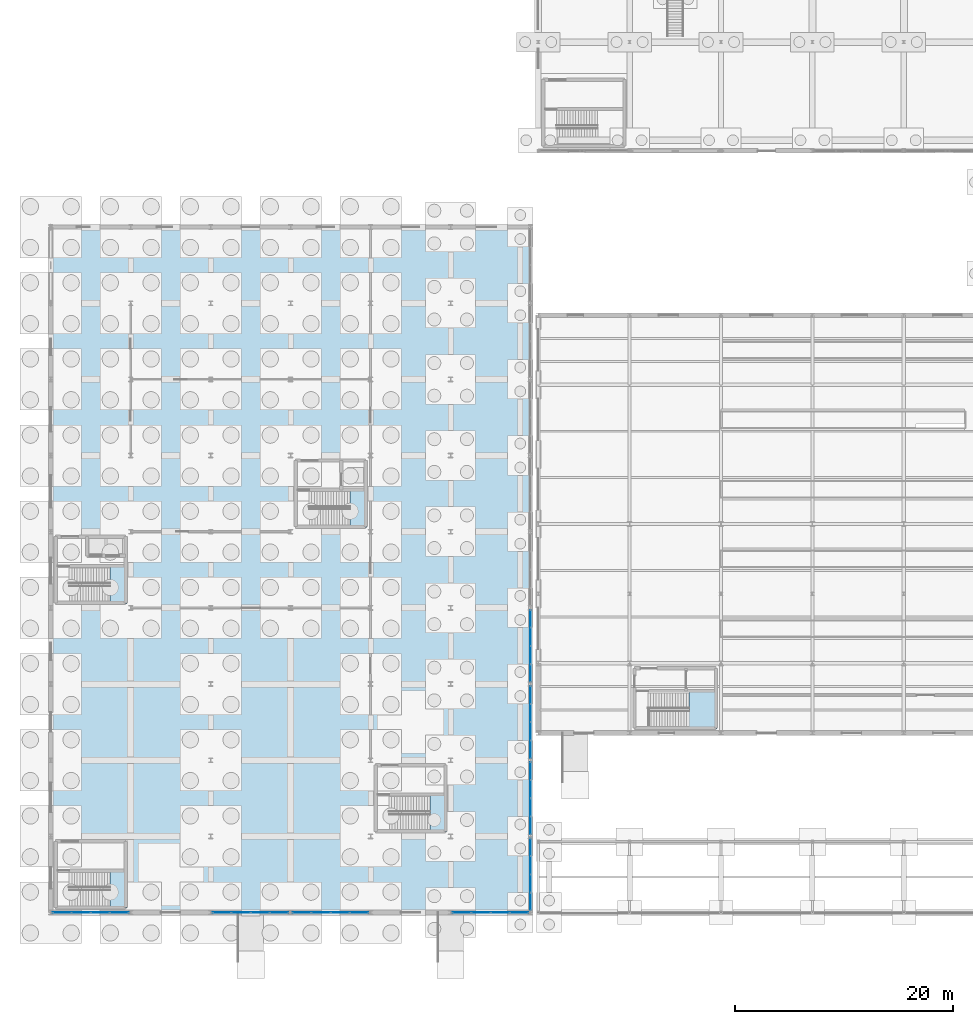
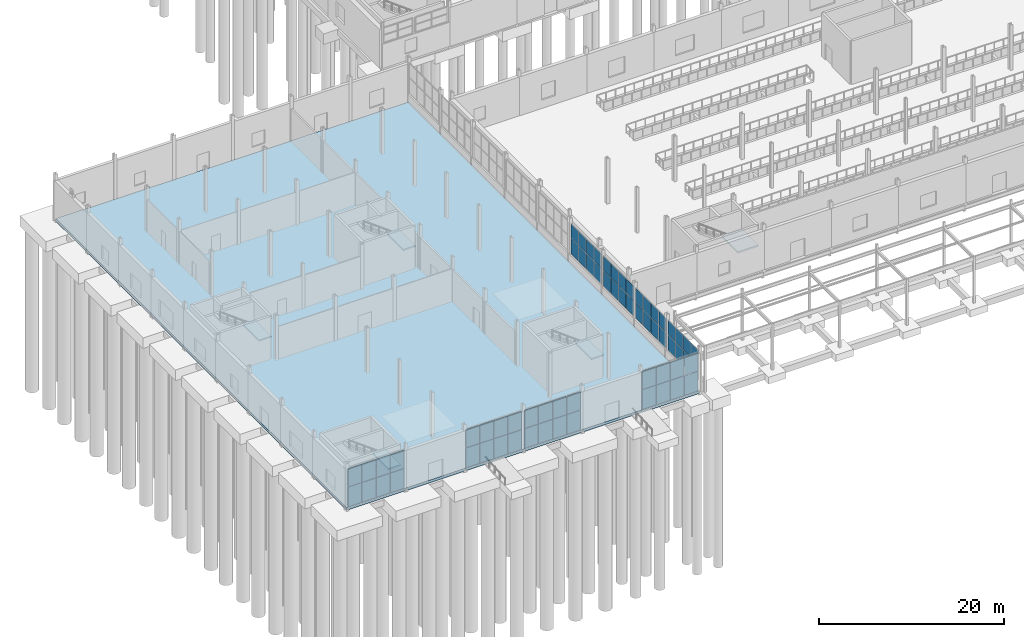
# One storey, part 104 of 139: 64 plates, 6 slabs, 13 elements without a shape of their own.
"""IFC4 building model written with IfcOpenShell, lengths in metres."""

from ifc_helpers import new_model, si_unit, direction, frame, origin, origin_2d, place, context, subcontext, project, spatial, polyline, rectangle, outline, extrude, material, layer, layer_set, type_object, element, aggregate, save


model = new_model("IFC4")

# Units and contexts
model_context = context("Model", 3, precision=1e-05, world=origin(), true_north=direction((0.0, 1.0)))
body_context = subcontext(model_context, "Body", "Model", "MODEL_VIEW")
ifc_project = project(units=[si_unit("LENGTHUNIT", "METRE"), si_unit("AREAUNIT", "SQUARE_METRE"), si_unit("VOLUMEUNIT", "CUBIC_METRE"), si_unit("PLANEANGLEUNIT", "RADIAN"), si_unit("MASSUNIT", "GRAM", prefix="KILO")], contexts=[model_context])

# Site, building, storey
site_placement = place(None, origin())
site = spatial("IfcSite", under=ifc_project, at=site_placement, CompositionType="ELEMENT")
building_placement = place(site_placement, origin())
building = spatial("IfcBuilding", under=site, at=building_placement, Name="Kazenagashi Tramway Depot", CompositionType="ELEMENT")
storey_placement = place(building_placement, origin())
storey = spatial("IfcBuildingStorey", under=building, at=storey_placement, Name="L01", CompositionType="ELEMENT", Elevation=0.0)

# Curtain wall, plates
ifc_material_1 = material(Name="Anodised Aluminium and Low-E Glazing", Category="aluminium")
curtain_wall_type_1 = type_object("IfcCurtainWallType", Name="CW-33", PredefinedType="USERDEFINED", material=ifc_material_1)
curtain_wall_1_placement = place(storey_placement, origin())
curtain_wall_1 = element("IfcCurtainWall", 1, at=curtain_wall_1_placement, inside=storey, type_object=curtain_wall_type_1, Name="Industrial Glazed Screen CW-33 CW-0180", ObjectType="GLAZED SCREEN", PredefinedType="USERDEFINED")
ifc_material_2 = material(Name="Tempered Laminated Low-E Glass", Category="glass")
ifc_layer_1 = layer(ifc_material_2, 0.022)
ifc_layer_set_1 = layer_set([ifc_layer_1], Name="Tempered Laminated Low-E Glass")
plate_type_1 = type_object("IfcPlateType", Name="GL-04", PredefinedType="CURTAIN_PANEL", material=ifc_layer_set_1)
plate_1_placement = place(storey_placement, frame((44.1, 0.995, 1.26), z_axis=(0.0, 0.0, 1.0), x_axis=(0.0, 1.0, 0.0)))
plate_1 = element("IfcPlate", 2, at=plate_1_placement, type_object=plate_type_1, Name="CW-33 panel 1.1", PredefinedType="CURTAIN_PANEL", context=body_context, shape_type="SweptSolid", body=[
    extrude(rectangle(XDim=1.59, YDim=0.022, at=origin_2d()), origin(), (0.0, 0.0, 1.0), 2.022),
])
plate_2_placement = place(storey_placement, frame((44.1, 0.995, 3.342), z_axis=(0.0, 0.0, 1.0), x_axis=(0.0, 1.0, 0.0)))
plate_2 = element("IfcPlate", 3, at=plate_2_placement, type_object=plate_type_1, Name="CW-33 panel 1.2", PredefinedType="CURTAIN_PANEL", context=body_context, shape_type="SweptSolid", body=[
    extrude(rectangle(XDim=1.59, YDim=0.022, at=origin_2d()), origin(), (0.0, 0.0, 1.0), 1.86),
])
plate_3_placement = place(storey_placement, frame((44.1, 2.66, 1.26), z_axis=(0.0, 0.0, 1.0), x_axis=(0.0, 1.0, 0.0)))
plate_3 = element("IfcPlate", 4, at=plate_3_placement, type_object=plate_type_1, Name="CW-33 panel 2.1", PredefinedType="CURTAIN_PANEL", context=body_context, shape_type="SweptSolid", body=[
    extrude(rectangle(XDim=1.62, YDim=0.022, at=origin_2d()), origin(), (0.0, 0.0, 1.0), 2.022),
])
plate_4_placement = place(storey_placement, frame((44.1, 2.66, 3.342), z_axis=(0.0, 0.0, 1.0), x_axis=(0.0, 1.0, 0.0)))
plate_4 = element("IfcPlate", 5, at=plate_4_placement, type_object=plate_type_1, Name="CW-33 panel 2.2", PredefinedType="CURTAIN_PANEL", context=body_context, shape_type="SweptSolid", body=[
    extrude(rectangle(XDim=1.62, YDim=0.022, at=origin_2d()), origin(), (0.0, 0.0, 1.0), 1.86),
])
plate_5_placement = place(storey_placement, frame((44.1, 4.34, 1.26), z_axis=(0.0, 0.0, 1.0), x_axis=(0.0, 1.0, 0.0)))
plate_5 = element("IfcPlate", 6, at=plate_5_placement, type_object=plate_type_1, Name="CW-33 panel 3.1", PredefinedType="CURTAIN_PANEL", context=body_context, shape_type="SweptSolid", body=[
    extrude(rectangle(XDim=1.62, YDim=0.022, at=origin_2d()), origin(), (0.0, 0.0, 1.0), 2.022),
])
plate_6_placement = place(storey_placement, frame((44.1, 4.34, 3.342), z_axis=(0.0, 0.0, 1.0), x_axis=(0.0, 1.0, 0.0)))
plate_6 = element("IfcPlate", 7, at=plate_6_placement, type_object=plate_type_1, Name="CW-33 panel 3.2", PredefinedType="CURTAIN_PANEL", context=body_context, shape_type="SweptSolid", body=[
    extrude(rectangle(XDim=1.62, YDim=0.022, at=origin_2d()), origin(), (0.0, 0.0, 1.0), 1.86),
])
plate_7_placement = place(storey_placement, frame((44.1, 6.005, 1.26), z_axis=(0.0, 0.0, 1.0), x_axis=(0.0, 1.0, 0.0)))
plate_7 = element("IfcPlate", 8, at=plate_7_placement, type_object=plate_type_1, Name="CW-33 panel 4.1", PredefinedType="CURTAIN_PANEL", context=body_context, shape_type="SweptSolid", body=[
    extrude(rectangle(XDim=1.59, YDim=0.022, at=origin_2d()), origin(), (0.0, 0.0, 1.0), 2.022),
])
plate_8_placement = place(storey_placement, frame((44.1, 6.005, 3.342), z_axis=(0.0, 0.0, 1.0), x_axis=(0.0, 1.0, 0.0)))
plate_8 = element("IfcPlate", 9, at=plate_8_placement, type_object=plate_type_1, Name="CW-33 panel 4.2", PredefinedType="CURTAIN_PANEL", context=body_context, shape_type="SweptSolid", body=[
    extrude(rectangle(XDim=1.59, YDim=0.022, at=origin_2d()), origin(), (0.0, 0.0, 1.0), 1.86),
])
aggregate(curtain_wall_1, [plate_1, plate_2, plate_3, plate_4, plate_5, plate_6, plate_7, plate_8])

curtain_wall_type_2 = type_object("IfcCurtainWallType", Name="CW-24", PredefinedType="USERDEFINED", material=ifc_material_1)
curtain_wall_2_placement = place(storey_placement, origin())
curtain_wall_2 = element("IfcCurtainWall", 10, at=curtain_wall_2_placement, inside=storey, type_object=curtain_wall_type_2, Name="Industrial Glazed Screen CW-24 CW-0134", ObjectType="GLAZED SCREEN", PredefinedType="USERDEFINED")
ifc_layer_2 = layer(ifc_material_2, 0.026)
ifc_layer_set_2 = layer_set([ifc_layer_2], Name="Tempered Laminated Low-E Glass")
plate_type_2 = type_object("IfcPlateType", Name="GL-06", PredefinedType="CURTAIN_PANEL", material=ifc_layer_set_2)
plate_9_placement = place(storey_placement, frame((1.03875, 0.0, 0.06), z_axis=(0.0, 0.0, 1.0), x_axis=(1.0, 0.0, 0.0)))
plate_9 = element("IfcPlate", 11, at=plate_9_placement, type_object=plate_type_2, Name="CW-24 panel 1.1", PredefinedType="CURTAIN_PANEL", context=body_context, shape_type="SweptSolid", body=[
    extrude(rectangle(XDim=1.6775, YDim=0.026, at=origin_2d()), origin(), (0.0, 0.0, 1.0), 2.583),
])
plate_10_placement = place(storey_placement, frame((1.03875, 0.0, 2.703), z_axis=(0.0, 0.0, 1.0), x_axis=(1.0, 0.0, 0.0)))
plate_10 = element("IfcPlate", 12, at=plate_10_placement, type_object=plate_type_2, Name="CW-24 panel 1.2", PredefinedType="CURTAIN_PANEL", context=body_context, shape_type="SweptSolid", body=[
    extrude(rectangle(XDim=1.6775, YDim=0.026, at=origin_2d()), origin(), (0.0, 0.0, 1.0), 2.377),
])
plate_11_placement = place(storey_placement, frame((2.79125, 0.0, 0.06), z_axis=(0.0, 0.0, 1.0), x_axis=(1.0, 0.0, 0.0)))
plate_11 = element("IfcPlate", 13, at=plate_11_placement, type_object=plate_type_2, Name="CW-24 panel 2.1", PredefinedType="CURTAIN_PANEL", context=body_context, shape_type="SweptSolid", body=[
    extrude(rectangle(XDim=1.7075, YDim=0.026, at=origin_2d()), origin(), (0.0, 0.0, 1.0), 2.583),
])
plate_12_placement = place(storey_placement, frame((2.79125, 0.0, 2.703), z_axis=(0.0, 0.0, 1.0), x_axis=(1.0, 0.0, 0.0)))
plate_12 = element("IfcPlate", 14, at=plate_12_placement, type_object=plate_type_2, Name="CW-24 panel 2.2", PredefinedType="CURTAIN_PANEL", context=body_context, shape_type="SweptSolid", body=[
    extrude(rectangle(XDim=1.7075, YDim=0.026, at=origin_2d()), origin(), (0.0, 0.0, 1.0), 2.377),
])
plate_13_placement = place(storey_placement, frame((4.55875, 0.0, 0.06), z_axis=(0.0, 0.0, 1.0), x_axis=(1.0, 0.0, 0.0)))
plate_13 = element("IfcPlate", 15, at=plate_13_placement, type_object=plate_type_2, Name="CW-24 panel 3.1", PredefinedType="CURTAIN_PANEL", context=body_context, shape_type="SweptSolid", body=[
    extrude(rectangle(XDim=1.7075, YDim=0.026, at=origin_2d()), origin(), (0.0, 0.0, 1.0), 2.583),
])
plate_14_placement = place(storey_placement, frame((4.55875, 0.0, 2.703), z_axis=(0.0, 0.0, 1.0), x_axis=(1.0, 0.0, 0.0)))
plate_14 = element("IfcPlate", 16, at=plate_14_placement, type_object=plate_type_2, Name="CW-24 panel 3.2", PredefinedType="CURTAIN_PANEL", context=body_context, shape_type="SweptSolid", body=[
    extrude(rectangle(XDim=1.7075, YDim=0.026, at=origin_2d()), origin(), (0.0, 0.0, 1.0), 2.377),
])
plate_15_placement = place(storey_placement, frame((6.31125, 0.0, 0.06), z_axis=(0.0, 0.0, 1.0), x_axis=(1.0, 0.0, 0.0)))
plate_15 = element("IfcPlate", 17, at=plate_15_placement, type_object=plate_type_2, Name="CW-24 panel 4.1", PredefinedType="CURTAIN_PANEL", context=body_context, shape_type="SweptSolid", body=[
    extrude(rectangle(XDim=1.6775, YDim=0.026, at=origin_2d()), origin(), (0.0, 0.0, 1.0), 2.583),
])
plate_16_placement = place(storey_placement, frame((6.31125, 0.0, 2.703), z_axis=(0.0, 0.0, 1.0), x_axis=(1.0, 0.0, 0.0)))
plate_16 = element("IfcPlate", 18, at=plate_16_placement, type_object=plate_type_2, Name="CW-24 panel 4.2", PredefinedType="CURTAIN_PANEL", context=body_context, shape_type="SweptSolid", body=[
    extrude(rectangle(XDim=1.6775, YDim=0.026, at=origin_2d()), origin(), (0.0, 0.0, 1.0), 2.377),
])
aggregate(curtain_wall_2, [plate_9, plate_10, plate_11, plate_12, plate_13, plate_14, plate_15, plate_16])

curtain_wall_3_placement = place(storey_placement, origin())
curtain_wall_3 = element("IfcCurtainWall", 19, at=curtain_wall_3_placement, inside=storey, type_object=curtain_wall_type_1, Name="Industrial Glazed Screen CW-33 CW-0182", ObjectType="GLAZED SCREEN", PredefinedType="USERDEFINED")
plate_17_placement = place(storey_placement, frame((44.1, 7.995, 1.26), z_axis=(0.0, 0.0, 1.0), x_axis=(0.0, 1.0, 0.0)))
plate_17 = element("IfcPlate", 20, at=plate_17_placement, type_object=plate_type_2, Name="CW-33 panel 1.1", PredefinedType="CURTAIN_PANEL", context=body_context, shape_type="SweptSolid", body=[
    extrude(rectangle(XDim=1.59, YDim=0.026, at=origin_2d()), origin(), (0.0, 0.0, 1.0), 2.022),
])
plate_18_placement = place(storey_placement, frame((44.1, 7.995, 3.342), z_axis=(0.0, 0.0, 1.0), x_axis=(0.0, 1.0, 0.0)))
plate_18 = element("IfcPlate", 21, at=plate_18_placement, type_object=plate_type_2, Name="CW-33 panel 1.2", PredefinedType="CURTAIN_PANEL", context=body_context, shape_type="SweptSolid", body=[
    extrude(rectangle(XDim=1.59, YDim=0.026, at=origin_2d()), origin(), (0.0, 0.0, 1.0), 1.86),
])
plate_19_placement = place(storey_placement, frame((44.1, 9.66, 1.26), z_axis=(0.0, 0.0, 1.0), x_axis=(0.0, 1.0, 0.0)))
plate_19 = element("IfcPlate", 22, at=plate_19_placement, type_object=plate_type_2, Name="CW-33 panel 2.1", PredefinedType="CURTAIN_PANEL", context=body_context, shape_type="SweptSolid", body=[
    extrude(rectangle(XDim=1.62, YDim=0.026, at=origin_2d()), origin(), (0.0, 0.0, 1.0), 2.022),
])
plate_20_placement = place(storey_placement, frame((44.1, 9.66, 3.342), z_axis=(0.0, 0.0, 1.0), x_axis=(0.0, 1.0, 0.0)))
plate_20 = element("IfcPlate", 23, at=plate_20_placement, type_object=plate_type_2, Name="CW-33 panel 2.2", PredefinedType="CURTAIN_PANEL", context=body_context, shape_type="SweptSolid", body=[
    extrude(rectangle(XDim=1.62, YDim=0.026, at=origin_2d()), origin(), (0.0, 0.0, 1.0), 1.86),
])
plate_21_placement = place(storey_placement, frame((44.1, 11.34, 1.26), z_axis=(0.0, 0.0, 1.0), x_axis=(0.0, 1.0, 0.0)))
plate_21 = element("IfcPlate", 24, at=plate_21_placement, type_object=plate_type_2, Name="CW-33 panel 3.1", PredefinedType="CURTAIN_PANEL", context=body_context, shape_type="SweptSolid", body=[
    extrude(rectangle(XDim=1.62, YDim=0.026, at=origin_2d()), origin(), (0.0, 0.0, 1.0), 2.022),
])
plate_22_placement = place(storey_placement, frame((44.1, 11.34, 3.342), z_axis=(0.0, 0.0, 1.0), x_axis=(0.0, 1.0, 0.0)))
plate_22 = element("IfcPlate", 25, at=plate_22_placement, type_object=plate_type_2, Name="CW-33 panel 3.2", PredefinedType="CURTAIN_PANEL", context=body_context, shape_type="SweptSolid", body=[
    extrude(rectangle(XDim=1.62, YDim=0.026, at=origin_2d()), origin(), (0.0, 0.0, 1.0), 1.86),
])
plate_23_placement = place(storey_placement, frame((44.1, 13.005, 1.26), z_axis=(0.0, 0.0, 1.0), x_axis=(0.0, 1.0, 0.0)))
plate_23 = element("IfcPlate", 26, at=plate_23_placement, type_object=plate_type_2, Name="CW-33 panel 4.1", PredefinedType="CURTAIN_PANEL", context=body_context, shape_type="SweptSolid", body=[
    extrude(rectangle(XDim=1.59, YDim=0.026, at=origin_2d()), origin(), (0.0, 0.0, 1.0), 2.022),
])
plate_24_placement = place(storey_placement, frame((44.1, 13.005, 3.342), z_axis=(0.0, 0.0, 1.0), x_axis=(0.0, 1.0, 0.0)))
plate_24 = element("IfcPlate", 27, at=plate_24_placement, type_object=plate_type_2, Name="CW-33 panel 4.2", PredefinedType="CURTAIN_PANEL", context=body_context, shape_type="SweptSolid", body=[
    extrude(rectangle(XDim=1.59, YDim=0.026, at=origin_2d()), origin(), (0.0, 0.0, 1.0), 1.86),
])
aggregate(curtain_wall_3, [plate_17, plate_18, plate_19, plate_20, plate_21, plate_22, plate_23, plate_24])

curtain_wall_4_placement = place(storey_placement, origin())
curtain_wall_4 = element("IfcCurtainWall", 28, at=curtain_wall_4_placement, inside=storey, type_object=curtain_wall_type_1, Name="Industrial Glazed Screen CW-33 CW-0184", ObjectType="GLAZED SCREEN", PredefinedType="USERDEFINED")
ifc_layer_3 = layer(ifc_material_2, 0.03)
ifc_layer_set_3 = layer_set([ifc_layer_3], Name="Tempered Laminated Low-E Glass")
plate_type_3 = type_object("IfcPlateType", Name="GL-08", PredefinedType="CURTAIN_PANEL", material=ifc_layer_set_3)
plate_25_placement = place(storey_placement, frame((44.1, 14.995, 1.26), z_axis=(0.0, 0.0, 1.0), x_axis=(0.0, 1.0, 0.0)))
plate_25 = element("IfcPlate", 29, at=plate_25_placement, type_object=plate_type_3, Name="CW-33 panel 1.1", PredefinedType="CURTAIN_PANEL", context=body_context, shape_type="SweptSolid", body=[
    extrude(rectangle(XDim=1.59, YDim=0.03, at=origin_2d()), origin(), (0.0, 0.0, 1.0), 2.022),
])
plate_26_placement = place(storey_placement, frame((44.1, 14.995, 3.342), z_axis=(0.0, 0.0, 1.0), x_axis=(0.0, 1.0, 0.0)))
plate_26 = element("IfcPlate", 30, at=plate_26_placement, type_object=plate_type_3, Name="CW-33 panel 1.2", PredefinedType="CURTAIN_PANEL", context=body_context, shape_type="SweptSolid", body=[
    extrude(rectangle(XDim=1.59, YDim=0.03, at=origin_2d()), origin(), (0.0, 0.0, 1.0), 1.86),
])
plate_27_placement = place(storey_placement, frame((44.1, 16.66, 1.26), z_axis=(0.0, 0.0, 1.0), x_axis=(0.0, 1.0, 0.0)))
plate_27 = element("IfcPlate", 31, at=plate_27_placement, type_object=plate_type_3, Name="CW-33 panel 2.1", PredefinedType="CURTAIN_PANEL", context=body_context, shape_type="SweptSolid", body=[
    extrude(rectangle(XDim=1.62, YDim=0.03, at=origin_2d()), origin(), (0.0, 0.0, 1.0), 2.022),
])
plate_28_placement = place(storey_placement, frame((44.1, 16.66, 3.342), z_axis=(0.0, 0.0, 1.0), x_axis=(0.0, 1.0, 0.0)))
plate_28 = element("IfcPlate", 32, at=plate_28_placement, type_object=plate_type_3, Name="CW-33 panel 2.2", PredefinedType="CURTAIN_PANEL", context=body_context, shape_type="SweptSolid", body=[
    extrude(rectangle(XDim=1.62, YDim=0.03, at=origin_2d()), origin(), (0.0, 0.0, 1.0), 1.86),
])
plate_29_placement = place(storey_placement, frame((44.1, 18.34, 1.26), z_axis=(0.0, 0.0, 1.0), x_axis=(0.0, 1.0, 0.0)))
plate_29 = element("IfcPlate", 33, at=plate_29_placement, type_object=plate_type_3, Name="CW-33 panel 3.1", PredefinedType="CURTAIN_PANEL", context=body_context, shape_type="SweptSolid", body=[
    extrude(rectangle(XDim=1.62, YDim=0.03, at=origin_2d()), origin(), (0.0, 0.0, 1.0), 2.022),
])
plate_30_placement = place(storey_placement, frame((44.1, 18.34, 3.342), z_axis=(0.0, 0.0, 1.0), x_axis=(0.0, 1.0, 0.0)))
plate_30 = element("IfcPlate", 34, at=plate_30_placement, type_object=plate_type_3, Name="CW-33 panel 3.2", PredefinedType="CURTAIN_PANEL", context=body_context, shape_type="SweptSolid", body=[
    extrude(rectangle(XDim=1.62, YDim=0.03, at=origin_2d()), origin(), (0.0, 0.0, 1.0), 1.86),
])
plate_31_placement = place(storey_placement, frame((44.1, 20.005, 1.26), z_axis=(0.0, 0.0, 1.0), x_axis=(0.0, 1.0, 0.0)))
plate_31 = element("IfcPlate", 35, at=plate_31_placement, type_object=plate_type_3, Name="CW-33 panel 4.1", PredefinedType="CURTAIN_PANEL", context=body_context, shape_type="SweptSolid", body=[
    extrude(rectangle(XDim=1.59, YDim=0.03, at=origin_2d()), origin(), (0.0, 0.0, 1.0), 2.022),
])
plate_32_placement = place(storey_placement, frame((44.1, 20.005, 3.342), z_axis=(0.0, 0.0, 1.0), x_axis=(0.0, 1.0, 0.0)))
plate_32 = element("IfcPlate", 36, at=plate_32_placement, type_object=plate_type_3, Name="CW-33 panel 4.2", PredefinedType="CURTAIN_PANEL", context=body_context, shape_type="SweptSolid", body=[
    extrude(rectangle(XDim=1.59, YDim=0.03, at=origin_2d()), origin(), (0.0, 0.0, 1.0), 1.86),
])
aggregate(curtain_wall_4, [plate_25, plate_26, plate_27, plate_28, plate_29, plate_30, plate_31, plate_32])

curtain_wall_5_placement = place(storey_placement, origin())
curtain_wall_5 = element("IfcCurtainWall", 37, at=curtain_wall_5_placement, inside=storey, type_object=curtain_wall_type_2, Name="Industrial Glazed Screen CW-24 CW-0137", ObjectType="GLAZED SCREEN", PredefinedType="USERDEFINED")
ifc_layer_4 = layer(ifc_material_2, 0.032)
ifc_layer_set_4 = layer_set([ifc_layer_4], Name="Tempered Laminated Low-E Glass")
plate_type_4 = type_object("IfcPlateType", Name="GL-09", PredefinedType="CURTAIN_PANEL", material=ifc_layer_set_4)
plate_33_placement = place(storey_placement, frame((15.73875, 0.0, 0.06), z_axis=(0.0, 0.0, 1.0), x_axis=(1.0, 0.0, 0.0)))
plate_33 = element("IfcPlate", 38, at=plate_33_placement, type_object=plate_type_4, Name="CW-24 panel 1.1", PredefinedType="CURTAIN_PANEL", context=body_context, shape_type="SweptSolid", body=[
    extrude(rectangle(XDim=1.6775, YDim=0.032, at=origin_2d()), origin(), (0.0, 0.0, 1.0), 2.583),
])
plate_34_placement = place(storey_placement, frame((15.73875, 0.0, 2.703), z_axis=(0.0, 0.0, 1.0), x_axis=(1.0, 0.0, 0.0)))
plate_34 = element("IfcPlate", 39, at=plate_34_placement, type_object=plate_type_4, Name="CW-24 panel 1.2", PredefinedType="CURTAIN_PANEL", context=body_context, shape_type="SweptSolid", body=[
    extrude(rectangle(XDim=1.6775, YDim=0.032, at=origin_2d()), origin(), (0.0, 0.0, 1.0), 2.377),
])
plate_35_placement = place(storey_placement, frame((17.49125, 0.0, 0.06), z_axis=(0.0, 0.0, 1.0), x_axis=(1.0, 0.0, 0.0)))
plate_35 = element("IfcPlate", 40, at=plate_35_placement, type_object=plate_type_4, Name="CW-24 panel 2.1", PredefinedType="CURTAIN_PANEL", context=body_context, shape_type="SweptSolid", body=[
    extrude(rectangle(XDim=1.7075, YDim=0.032, at=origin_2d()), origin(), (0.0, 0.0, 1.0), 2.583),
])
plate_36_placement = place(storey_placement, frame((17.49125, 0.0, 2.703), z_axis=(0.0, 0.0, 1.0), x_axis=(1.0, 0.0, 0.0)))
plate_36 = element("IfcPlate", 41, at=plate_36_placement, type_object=plate_type_4, Name="CW-24 panel 2.2", PredefinedType="CURTAIN_PANEL", context=body_context, shape_type="SweptSolid", body=[
    extrude(rectangle(XDim=1.7075, YDim=0.032, at=origin_2d()), origin(), (0.0, 0.0, 1.0), 2.377),
])
plate_37_placement = place(storey_placement, frame((19.25875, 0.0, 0.06), z_axis=(0.0, 0.0, 1.0), x_axis=(1.0, 0.0, 0.0)))
plate_37 = element("IfcPlate", 42, at=plate_37_placement, type_object=plate_type_4, Name="CW-24 panel 3.1", PredefinedType="CURTAIN_PANEL", context=body_context, shape_type="SweptSolid", body=[
    extrude(rectangle(XDim=1.7075, YDim=0.032, at=origin_2d()), origin(), (0.0, 0.0, 1.0), 2.583),
])
plate_38_placement = place(storey_placement, frame((19.25875, 0.0, 2.703), z_axis=(0.0, 0.0, 1.0), x_axis=(1.0, 0.0, 0.0)))
plate_38 = element("IfcPlate", 43, at=plate_38_placement, type_object=plate_type_4, Name="CW-24 panel 3.2", PredefinedType="CURTAIN_PANEL", context=body_context, shape_type="SweptSolid", body=[
    extrude(rectangle(XDim=1.7075, YDim=0.032, at=origin_2d()), origin(), (0.0, 0.0, 1.0), 2.377),
])
plate_39_placement = place(storey_placement, frame((21.01125, 0.0, 0.06), z_axis=(0.0, 0.0, 1.0), x_axis=(1.0, 0.0, 0.0)))
plate_39 = element("IfcPlate", 44, at=plate_39_placement, type_object=plate_type_4, Name="CW-24 panel 4.1", PredefinedType="CURTAIN_PANEL", context=body_context, shape_type="SweptSolid", body=[
    extrude(rectangle(XDim=1.6775, YDim=0.032, at=origin_2d()), origin(), (0.0, 0.0, 1.0), 2.583),
])
plate_40_placement = place(storey_placement, frame((21.01125, 0.0, 2.703), z_axis=(0.0, 0.0, 1.0), x_axis=(1.0, 0.0, 0.0)))
plate_40 = element("IfcPlate", 45, at=plate_40_placement, type_object=plate_type_4, Name="CW-24 panel 4.2", PredefinedType="CURTAIN_PANEL", context=body_context, shape_type="SweptSolid", body=[
    extrude(rectangle(XDim=1.6775, YDim=0.032, at=origin_2d()), origin(), (0.0, 0.0, 1.0), 2.377),
])
aggregate(curtain_wall_5, [plate_33, plate_34, plate_35, plate_36, plate_37, plate_38, plate_39, plate_40])

curtain_wall_6_placement = place(storey_placement, origin())
curtain_wall_6 = element("IfcCurtainWall", 46, at=curtain_wall_6_placement, inside=storey, type_object=curtain_wall_type_1, Name="Industrial Glazed Screen CW-33 CW-0185", ObjectType="GLAZED SCREEN", PredefinedType="USERDEFINED")
plate_41_placement = place(storey_placement, frame((44.1, 21.995, 1.26), z_axis=(0.0, 0.0, 1.0), x_axis=(0.0, 1.0, 0.0)))
plate_41 = element("IfcPlate", 47, at=plate_41_placement, type_object=plate_type_4, Name="CW-33 panel 1.1", PredefinedType="CURTAIN_PANEL", context=body_context, shape_type="SweptSolid", body=[
    extrude(rectangle(XDim=1.59, YDim=0.032, at=origin_2d()), origin(), (0.0, 0.0, 1.0), 2.022),
])
plate_42_placement = place(storey_placement, frame((44.1, 21.995, 3.342), z_axis=(0.0, 0.0, 1.0), x_axis=(0.0, 1.0, 0.0)))
plate_42 = element("IfcPlate", 48, at=plate_42_placement, type_object=plate_type_4, Name="CW-33 panel 1.2", PredefinedType="CURTAIN_PANEL", context=body_context, shape_type="SweptSolid", body=[
    extrude(rectangle(XDim=1.59, YDim=0.032, at=origin_2d()), origin(), (0.0, 0.0, 1.0), 1.86),
])
plate_43_placement = place(storey_placement, frame((44.1, 23.66, 1.26), z_axis=(0.0, 0.0, 1.0), x_axis=(0.0, 1.0, 0.0)))
plate_43 = element("IfcPlate", 49, at=plate_43_placement, type_object=plate_type_4, Name="CW-33 panel 2.1", PredefinedType="CURTAIN_PANEL", context=body_context, shape_type="SweptSolid", body=[
    extrude(rectangle(XDim=1.62, YDim=0.032, at=origin_2d()), origin(), (0.0, 0.0, 1.0), 2.022),
])
plate_44_placement = place(storey_placement, frame((44.1, 23.66, 3.342), z_axis=(0.0, 0.0, 1.0), x_axis=(0.0, 1.0, 0.0)))
plate_44 = element("IfcPlate", 50, at=plate_44_placement, type_object=plate_type_4, Name="CW-33 panel 2.2", PredefinedType="CURTAIN_PANEL", context=body_context, shape_type="SweptSolid", body=[
    extrude(rectangle(XDim=1.62, YDim=0.032, at=origin_2d()), origin(), (0.0, 0.0, 1.0), 1.86),
])
plate_45_placement = place(storey_placement, frame((44.1, 25.34, 1.26), z_axis=(0.0, 0.0, 1.0), x_axis=(0.0, 1.0, 0.0)))
plate_45 = element("IfcPlate", 51, at=plate_45_placement, type_object=plate_type_4, Name="CW-33 panel 3.1", PredefinedType="CURTAIN_PANEL", context=body_context, shape_type="SweptSolid", body=[
    extrude(rectangle(XDim=1.62, YDim=0.032, at=origin_2d()), origin(), (0.0, 0.0, 1.0), 2.022),
])
plate_46_placement = place(storey_placement, frame((44.1, 25.34, 3.342), z_axis=(0.0, 0.0, 1.0), x_axis=(0.0, 1.0, 0.0)))
plate_46 = element("IfcPlate", 52, at=plate_46_placement, type_object=plate_type_4, Name="CW-33 panel 3.2", PredefinedType="CURTAIN_PANEL", context=body_context, shape_type="SweptSolid", body=[
    extrude(rectangle(XDim=1.62, YDim=0.032, at=origin_2d()), origin(), (0.0, 0.0, 1.0), 1.86),
])
plate_47_placement = place(storey_placement, frame((44.1, 27.005, 1.26), z_axis=(0.0, 0.0, 1.0), x_axis=(0.0, 1.0, 0.0)))
plate_47 = element("IfcPlate", 53, at=plate_47_placement, type_object=plate_type_4, Name="CW-33 panel 4.1", PredefinedType="CURTAIN_PANEL", context=body_context, shape_type="SweptSolid", body=[
    extrude(rectangle(XDim=1.59, YDim=0.032, at=origin_2d()), origin(), (0.0, 0.0, 1.0), 2.022),
])
plate_48_placement = place(storey_placement, frame((44.1, 27.005, 3.342), z_axis=(0.0, 0.0, 1.0), x_axis=(0.0, 1.0, 0.0)))
plate_48 = element("IfcPlate", 54, at=plate_48_placement, type_object=plate_type_4, Name="CW-33 panel 4.2", PredefinedType="CURTAIN_PANEL", context=body_context, shape_type="SweptSolid", body=[
    extrude(rectangle(XDim=1.59, YDim=0.032, at=origin_2d()), origin(), (0.0, 0.0, 1.0), 1.86),
])
aggregate(curtain_wall_6, [plate_41, plate_42, plate_43, plate_44, plate_45, plate_46, plate_47, plate_48])

curtain_wall_7_placement = place(storey_placement, origin())
curtain_wall_7 = element("IfcCurtainWall", 55, at=curtain_wall_7_placement, inside=storey, type_object=curtain_wall_type_2, Name="Industrial Glazed Screen CW-24 CW-0139", ObjectType="GLAZED SCREEN", PredefinedType="USERDEFINED")
ifc_layer_5 = layer(ifc_material_2, 0.036)
ifc_layer_set_5 = layer_set([ifc_layer_5], Name="Tempered Laminated Low-E Glass")
plate_type_5 = type_object("IfcPlateType", Name="GL-11", PredefinedType="CURTAIN_PANEL", material=ifc_layer_set_5)
plate_49_placement = place(storey_placement, frame((23.08875, 0.0, 0.06), z_axis=(0.0, 0.0, 1.0), x_axis=(1.0, 0.0, 0.0)))
plate_49 = element("IfcPlate", 56, at=plate_49_placement, type_object=plate_type_5, Name="CW-24 panel 1.1", PredefinedType="CURTAIN_PANEL", context=body_context, shape_type="SweptSolid", body=[
    extrude(rectangle(XDim=1.6775, YDim=0.036, at=origin_2d()), origin(), (0.0, 0.0, 1.0), 2.583),
])
plate_50_placement = place(storey_placement, frame((23.08875, 0.0, 2.703), z_axis=(0.0, 0.0, 1.0), x_axis=(1.0, 0.0, 0.0)))
plate_50 = element("IfcPlate", 57, at=plate_50_placement, type_object=plate_type_5, Name="CW-24 panel 1.2", PredefinedType="CURTAIN_PANEL", context=body_context, shape_type="SweptSolid", body=[
    extrude(rectangle(XDim=1.6775, YDim=0.036, at=origin_2d()), origin(), (0.0, 0.0, 1.0), 2.377),
])
plate_51_placement = place(storey_placement, frame((24.84125, 0.0, 0.06), z_axis=(0.0, 0.0, 1.0), x_axis=(1.0, 0.0, 0.0)))
plate_51 = element("IfcPlate", 58, at=plate_51_placement, type_object=plate_type_5, Name="CW-24 panel 2.1", PredefinedType="CURTAIN_PANEL", context=body_context, shape_type="SweptSolid", body=[
    extrude(rectangle(XDim=1.7075, YDim=0.036, at=origin_2d()), origin(), (0.0, 0.0, 1.0), 2.583),
])
plate_52_placement = place(storey_placement, frame((24.84125, 0.0, 2.703), z_axis=(0.0, 0.0, 1.0), x_axis=(1.0, 0.0, 0.0)))
plate_52 = element("IfcPlate", 59, at=plate_52_placement, type_object=plate_type_5, Name="CW-24 panel 2.2", PredefinedType="CURTAIN_PANEL", context=body_context, shape_type="SweptSolid", body=[
    extrude(rectangle(XDim=1.7075, YDim=0.036, at=origin_2d()), origin(), (0.0, 0.0, 1.0), 2.377),
])
plate_53_placement = place(storey_placement, frame((26.60875, 0.0, 0.06), z_axis=(0.0, 0.0, 1.0), x_axis=(1.0, 0.0, 0.0)))
plate_53 = element("IfcPlate", 60, at=plate_53_placement, type_object=plate_type_5, Name="CW-24 panel 3.1", PredefinedType="CURTAIN_PANEL", context=body_context, shape_type="SweptSolid", body=[
    extrude(rectangle(XDim=1.7075, YDim=0.036, at=origin_2d()), origin(), (0.0, 0.0, 1.0), 2.583),
])
plate_54_placement = place(storey_placement, frame((26.60875, 0.0, 2.703), z_axis=(0.0, 0.0, 1.0), x_axis=(1.0, 0.0, 0.0)))
plate_54 = element("IfcPlate", 61, at=plate_54_placement, type_object=plate_type_5, Name="CW-24 panel 3.2", PredefinedType="CURTAIN_PANEL", context=body_context, shape_type="SweptSolid", body=[
    extrude(rectangle(XDim=1.7075, YDim=0.036, at=origin_2d()), origin(), (0.0, 0.0, 1.0), 2.377),
])
plate_55_placement = place(storey_placement, frame((28.36125, 0.0, 0.06), z_axis=(0.0, 0.0, 1.0), x_axis=(1.0, 0.0, 0.0)))
plate_55 = element("IfcPlate", 62, at=plate_55_placement, type_object=plate_type_5, Name="CW-24 panel 4.1", PredefinedType="CURTAIN_PANEL", context=body_context, shape_type="SweptSolid", body=[
    extrude(rectangle(XDim=1.6775, YDim=0.036, at=origin_2d()), origin(), (0.0, 0.0, 1.0), 2.583),
])
plate_56_placement = place(storey_placement, frame((28.36125, 0.0, 2.703), z_axis=(0.0, 0.0, 1.0), x_axis=(1.0, 0.0, 0.0)))
plate_56 = element("IfcPlate", 63, at=plate_56_placement, type_object=plate_type_5, Name="CW-24 panel 4.2", PredefinedType="CURTAIN_PANEL", context=body_context, shape_type="SweptSolid", body=[
    extrude(rectangle(XDim=1.6775, YDim=0.036, at=origin_2d()), origin(), (0.0, 0.0, 1.0), 2.377),
])
aggregate(curtain_wall_7, [plate_49, plate_50, plate_51, plate_52, plate_53, plate_54, plate_55, plate_56])

curtain_wall_8_placement = place(storey_placement, origin())
curtain_wall_8 = element("IfcCurtainWall", 64, at=curtain_wall_8_placement, inside=storey, type_object=curtain_wall_type_2, Name="Industrial Glazed Screen CW-24 CW-0142", ObjectType="GLAZED SCREEN", PredefinedType="USERDEFINED")
ifc_layer_6 = layer(ifc_material_2, 0.042)
ifc_layer_set_6 = layer_set([ifc_layer_6], Name="Tempered Laminated Low-E Glass")
plate_type_6 = type_object("IfcPlateType", Name="GL-14", PredefinedType="CURTAIN_PANEL", material=ifc_layer_set_6)
plate_57_placement = place(storey_placement, frame((37.78875, 0.0, 0.06), z_axis=(0.0, 0.0, 1.0), x_axis=(1.0, 0.0, 0.0)))
plate_57 = element("IfcPlate", 65, at=plate_57_placement, type_object=plate_type_6, Name="CW-24 panel 1.1", PredefinedType="CURTAIN_PANEL", context=body_context, shape_type="SweptSolid", body=[
    extrude(rectangle(XDim=1.6775, YDim=0.042, at=origin_2d()), origin(), (0.0, 0.0, 1.0), 2.583),
])
plate_58_placement = place(storey_placement, frame((37.78875, 0.0, 2.703), z_axis=(0.0, 0.0, 1.0), x_axis=(1.0, 0.0, 0.0)))
plate_58 = element("IfcPlate", 66, at=plate_58_placement, type_object=plate_type_6, Name="CW-24 panel 1.2", PredefinedType="CURTAIN_PANEL", context=body_context, shape_type="SweptSolid", body=[
    extrude(rectangle(XDim=1.6775, YDim=0.042, at=origin_2d()), origin(), (0.0, 0.0, 1.0), 2.377),
])
plate_59_placement = place(storey_placement, frame((39.54125, 0.0, 0.06), z_axis=(0.0, 0.0, 1.0), x_axis=(1.0, 0.0, 0.0)))
plate_59 = element("IfcPlate", 67, at=plate_59_placement, type_object=plate_type_6, Name="CW-24 panel 2.1", PredefinedType="CURTAIN_PANEL", context=body_context, shape_type="SweptSolid", body=[
    extrude(rectangle(XDim=1.7075, YDim=0.042, at=origin_2d()), origin(), (0.0, 0.0, 1.0), 2.583),
])
plate_60_placement = place(storey_placement, frame((39.54125, 0.0, 2.703), z_axis=(0.0, 0.0, 1.0), x_axis=(1.0, 0.0, 0.0)))
plate_60 = element("IfcPlate", 68, at=plate_60_placement, type_object=plate_type_6, Name="CW-24 panel 2.2", PredefinedType="CURTAIN_PANEL", context=body_context, shape_type="SweptSolid", body=[
    extrude(rectangle(XDim=1.7075, YDim=0.042, at=origin_2d()), origin(), (0.0, 0.0, 1.0), 2.377),
])
plate_61_placement = place(storey_placement, frame((41.30875, 0.0, 0.06), z_axis=(0.0, 0.0, 1.0), x_axis=(1.0, 0.0, 0.0)))
plate_61 = element("IfcPlate", 69, at=plate_61_placement, type_object=plate_type_6, Name="CW-24 panel 3.1", PredefinedType="CURTAIN_PANEL", context=body_context, shape_type="SweptSolid", body=[
    extrude(rectangle(XDim=1.7075, YDim=0.042, at=origin_2d()), origin(), (0.0, 0.0, 1.0), 2.583),
])
plate_62_placement = place(storey_placement, frame((41.30875, 0.0, 2.703), z_axis=(0.0, 0.0, 1.0), x_axis=(1.0, 0.0, 0.0)))
plate_62 = element("IfcPlate", 70, at=plate_62_placement, type_object=plate_type_6, Name="CW-24 panel 3.2", PredefinedType="CURTAIN_PANEL", context=body_context, shape_type="SweptSolid", body=[
    extrude(rectangle(XDim=1.7075, YDim=0.042, at=origin_2d()), origin(), (0.0, 0.0, 1.0), 2.377),
])
plate_63_placement = place(storey_placement, frame((43.06125, 0.0, 0.06), z_axis=(0.0, 0.0, 1.0), x_axis=(1.0, 0.0, 0.0)))
plate_63 = element("IfcPlate", 71, at=plate_63_placement, type_object=plate_type_6, Name="CW-24 panel 4.1", PredefinedType="CURTAIN_PANEL", context=body_context, shape_type="SweptSolid", body=[
    extrude(rectangle(XDim=1.6775, YDim=0.042, at=origin_2d()), origin(), (0.0, 0.0, 1.0), 2.583),
])
plate_64_placement = place(storey_placement, frame((43.06125, 0.0, 2.703), z_axis=(0.0, 0.0, 1.0), x_axis=(1.0, 0.0, 0.0)))
plate_64 = element("IfcPlate", 72, at=plate_64_placement, type_object=plate_type_6, Name="CW-24 panel 4.2", PredefinedType="CURTAIN_PANEL", context=body_context, shape_type="SweptSolid", body=[
    extrude(rectangle(XDim=1.6775, YDim=0.042, at=origin_2d()), origin(), (0.0, 0.0, 1.0), 2.377),
])
aggregate(curtain_wall_8, [plate_57, plate_58, plate_59, plate_60, plate_61, plate_62, plate_63, plate_64])

# Slab
ifc_material_3 = material(Name="Concrete Fc36", Category="concrete")
ifc_layer_7 = layer(ifc_material_3, 0.35)
ifc_layer_set_7 = layer_set([ifc_layer_7], Name="Concrete Fc36")
slab_type_1 = type_object("IfcSlabType", Name="SL-01", PredefinedType="BASESLAB", material=ifc_layer_set_7)
slab_1_placement = place(storey_placement, frame((0.0, 0.0, -0.35)))
element("IfcSlab", 73, at=slab_1_placement, inside=storey, type_object=slab_type_1, Name="Civic Wing Ground Slab SLAB-054", PredefinedType="BASESLAB", context=body_context, shape_type="SweptSolid", body=[
    extrude(outline(polyline([(0.0, 0.0), (44.1, 0.0), (44.1, 63.0), (0.0, 63.0), (0.0, 0.0)])), origin(), (0.0, 0.0, 1.0), 0.35),
])

# Stair, slab
stair_type_1 = type_object("IfcStairType", Name="ST-T2", PredefinedType="USERDEFINED", material=ifc_material_3)
stair_1_placement = place(storey_placement, origin())
stair_1 = element("IfcStair", 74, at=stair_1_placement, inside=storey, type_object=stair_type_1, Name="Enclosed Escape Stair ST-01", ObjectType="TWO_RETURN_STAIR", PredefinedType="USERDEFINED")
ifc_layer_8 = layer(ifc_material_3, 0.195)
ifc_layer_set_8 = layer_set([ifc_layer_8], Name="Concrete Fc36")
slab_type_2 = type_object("IfcSlabType", Name="SL-LD1", PredefinedType="LANDING", material=ifc_layer_set_8)
slab_2_placement = place(storey_placement, frame((0.0, 0.0, 2.805)))
slab_2 = element("IfcSlab", 75, at=slab_2_placement, type_object=slab_type_2, Name="ST-01 landing 1", PredefinedType="LANDING", context=body_context, shape_type="SweptSolid", body=[
    extrude(outline(polyline([(5.46, 28.41), (6.99, 28.41), (6.99, 31.9), (5.46, 31.9), (5.46, 28.41)])), origin(), (0.0, 0.0, 1.0), 0.195),
])
aggregate(stair_1, [slab_2])

stair_type_2 = type_object("IfcStairType", Name="ST-T5", PredefinedType="USERDEFINED", material=ifc_material_3)
stair_2_placement = place(storey_placement, origin())
stair_2 = element("IfcStair", 76, at=stair_2_placement, inside=storey, type_object=stair_type_2, Name="Enclosed Escape Stair ST-05", ObjectType="TWO_RETURN_STAIR", PredefinedType="USERDEFINED")
slab_3_placement = place(storey_placement, frame((0.0, 0.0, 2.805)))
slab_3 = element("IfcSlab", 77, at=slab_3_placement, type_object=slab_type_2, Name="ST-05 landing 1", PredefinedType="LANDING", context=body_context, shape_type="SweptSolid", body=[
    extrude(outline(polyline([(27.51, 35.41), (29.04, 35.41), (29.04, 38.9), (27.51, 38.9), (27.51, 35.41)])), origin(), (0.0, 0.0, 1.0), 0.195),
])
aggregate(stair_2, [slab_3])

stair_3_placement = place(storey_placement, origin())
stair_3 = element("IfcStair", 78, at=stair_3_placement, inside=storey, type_object=stair_type_1, Name="Enclosed Escape Stair ST-09", ObjectType="TWO_RETURN_STAIR", PredefinedType="USERDEFINED")
slab_4_placement = place(storey_placement, frame((0.0, 0.0, 2.805)))
slab_4 = element("IfcSlab", 79, at=slab_4_placement, type_object=slab_type_2, Name="ST-09 landing 1", PredefinedType="LANDING", context=body_context, shape_type="SweptSolid", body=[
    extrude(outline(polyline([(34.86, 7.41), (36.39, 7.41), (36.39, 10.9), (34.86, 10.9), (34.86, 7.41)])), origin(), (0.0, 0.0, 1.0), 0.195),
])
aggregate(stair_3, [slab_4])

stair_4_placement = place(storey_placement, origin())
stair_4 = element("IfcStair", 80, at=stair_4_placement, inside=storey, type_object=stair_type_2, Name="Enclosed Escape Stair ST-12", ObjectType="TWO_RETURN_STAIR", PredefinedType="USERDEFINED")
slab_5_placement = place(storey_placement, frame((0.0, 0.0, 2.805)))
slab_5 = element("IfcSlab", 81, at=slab_5_placement, type_object=slab_type_2, Name="ST-12 landing 1", PredefinedType="LANDING", context=body_context, shape_type="SweptSolid", body=[
    extrude(outline(polyline([(5.46, 0.41), (6.99, 0.41), (6.99, 3.9), (5.46, 3.9), (5.46, 0.41)])), origin(), (0.0, 0.0, 1.0), 0.195),
])
aggregate(stair_4, [slab_5])

stair_5_placement = place(storey_placement, origin())
stair_5 = element("IfcStair", 82, at=stair_5_placement, inside=storey, type_object=stair_type_1, Name="Enclosed Escape Stair ST-17", ObjectType="TWO_RETURN_STAIR", PredefinedType="USERDEFINED")
slab_6_placement = place(storey_placement, frame((0.0, 0.0, 2.805)))
slab_6 = element("IfcSlab", 83, at=slab_6_placement, type_object=slab_type_2, Name="ST-17 landing 1", PredefinedType="LANDING", context=body_context, shape_type="SweptSolid", body=[
    extrude(outline(polyline([(58.66, 16.91), (61.24, 16.91), (61.24, 20.4), (58.66, 20.4), (58.66, 16.91)])), origin(), (0.0, 0.0, 1.0), 0.195),
])
aggregate(stair_5, [slab_6])

save(model, "model.ifc")
